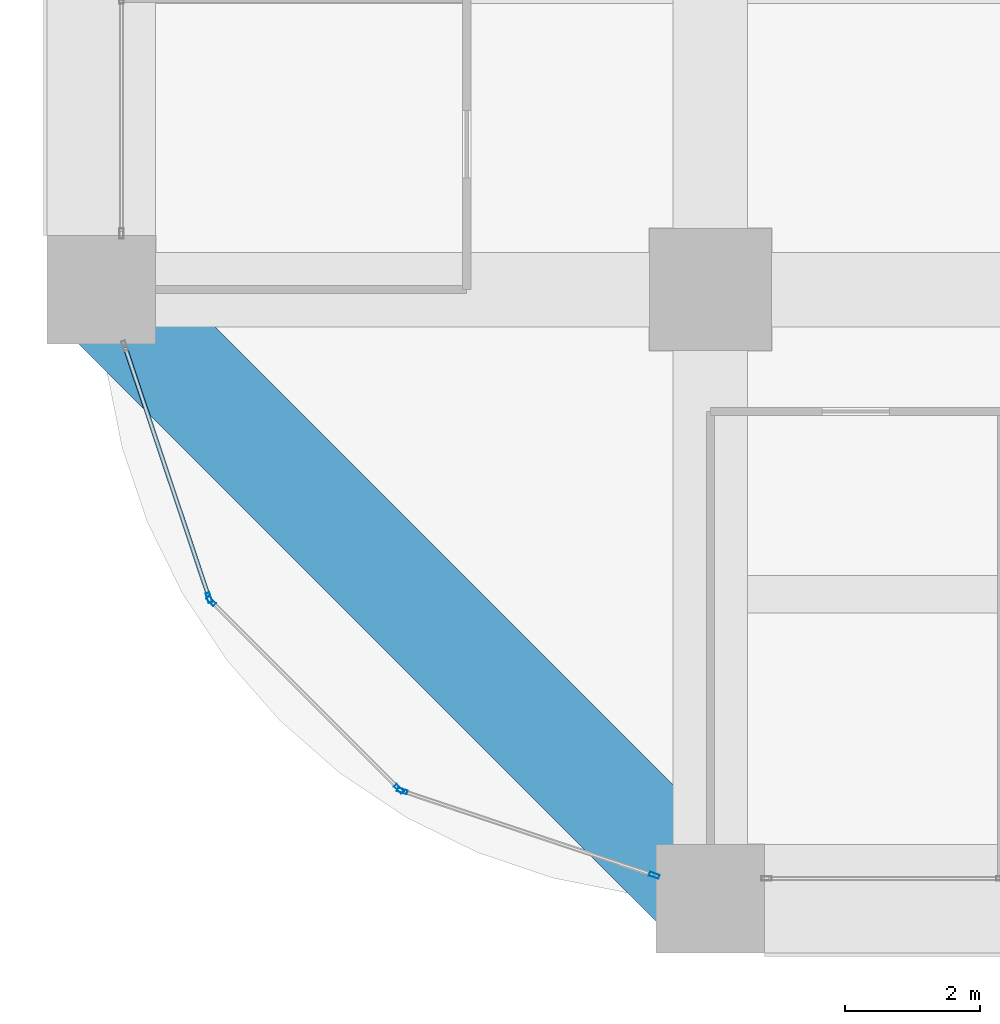
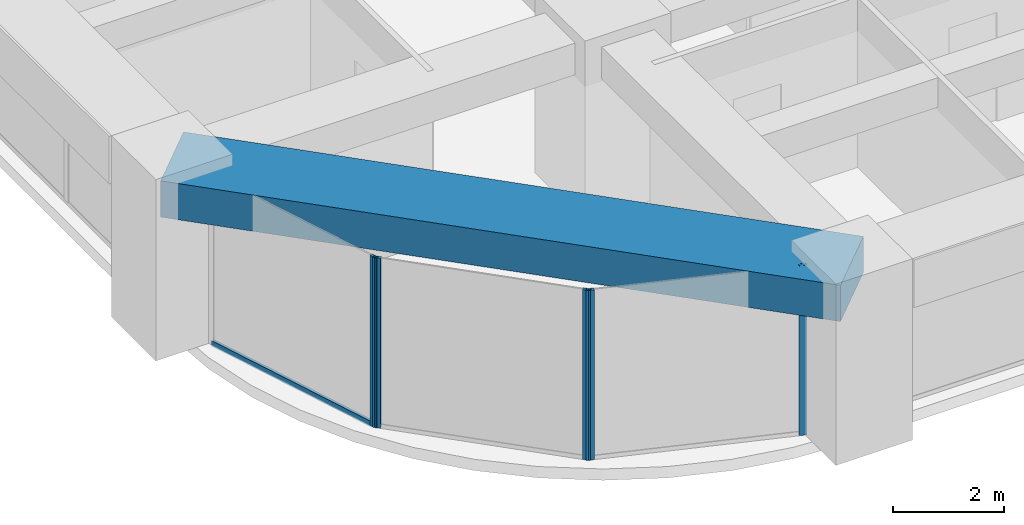
# One storey, part 2 of 43: 6 members, 1 beam, 3 elements without a shape of their own.
"""IFC4 building model written with IfcOpenShell, lengths in metres."""

import ifcopenshell
import ifcopenshell.guid

model = None  # the IFC model being written
_history = None  # IfcOwnerHistory: only IFC2X3 demands one
_inside = {}  # id of a spatial element -> (the spatial element, [elements in it])
_under = {}  # id of a project, library or spatial element -> (it, [spatial elements below it])
_declared = {}  # id of a project -> (the project, [libraries it declares])
_typed = {}  # id of a type object -> (the type object, [elements of that type])
_made_of = {}  # id of a material, layer set ... -> (it, [elements and type objects made of it])


def new_model(schema):
    """Start an empty IFC model of exactly this schema.

    Asked for "IFC4X3", IfcOpenShell would pick the latest addendum, in which some entities
    have other attributes; the version numbers below select the first issue.
    IFC2X3 requires an IfcOwnerHistory on every rooted entity: one is made here for all.
    """
    global model, _history
    if schema == "IFC4X3":
        model = ifcopenshell.file(schema_version=(4, 3, 0, 0))
    else:
        model = ifcopenshell.file(schema=schema)
    _inside.clear()
    _under.clear()
    _declared.clear()
    _typed.clear()
    _made_of.clear()
    _history = None
    if model.schema == "IFC2X3":
        org = make("IfcOrganization", Name="unknown")
        user = make(
            "IfcPersonAndOrganization",
            ThePerson=make("IfcPerson", FamilyName="unknown"),
            TheOrganization=org,
        )
        app = make(
            "IfcApplication",
            ApplicationDeveloper=org,
            Version="unknown",
            ApplicationFullName="unknown",
            ApplicationIdentifier="unknown",
        )
        _history = make(
            "IfcOwnerHistory",
            OwningUser=user,
            OwningApplication=app,
            ChangeAction="ADDED",
            CreationDate=0,
        )
    return model


def make(cls, **values):
    """One entity of the class cls with the attributes given. An attribute that is None is left unset."""
    return model.create_entity(
        cls, **{name: value for name, value in values.items() if value is not None}
    )


def rooted(cls, **values):
    """An entity with a GlobalId (a new one), such as an element, a storey or a relation."""
    return make(cls, GlobalId=ifcopenshell.guid.new(), OwnerHistory=_history, **values)


def si_unit(unit_type, name, prefix=None):
    """IfcSIUnit, for example si_unit("LENGTHUNIT", "METRE", prefix="MILLI")."""
    return make("IfcSIUnit", UnitType=unit_type, Prefix=prefix, Name=name)


def assignment(units):
    """IfcUnitAssignment: the units of a project."""
    return None if units is None else make("IfcUnitAssignment", Units=units)


def point(xyz):
    """IfcCartesianPoint."""
    return None if xyz is None else make("IfcCartesianPoint", Coordinates=xyz)


def direction(xyz):
    """IfcDirection."""
    return None if xyz is None else make("IfcDirection", DirectionRatios=xyz)


def frame(location, z_axis=None, x_axis=None):
    """IfcAxis2Placement3D, a coordinate frame: its origin and axes. An axis left out is left unset."""
    return make(
        "IfcAxis2Placement3D",
        Location=point(location),
        Axis=direction(z_axis),
        RefDirection=direction(x_axis),
    )


def frame_2d(location, x_axis=None):
    """IfcAxis2Placement2D, a coordinate frame in the plane: its origin and x axis."""
    return make(
        "IfcAxis2Placement2D", Location=point(location), RefDirection=direction(x_axis)
    )


def origin():
    """The frame at (0, 0, 0) with its axes left unset."""
    return frame((0.0, 0.0, 0.0))


def origin_2d():
    """The frame at (0, 0) in the plane with its x axis left unset."""
    return frame_2d((0.0, 0.0))


def place(relative_to, where):
    """IfcLocalPlacement: puts the frame where relative to a parent placement (None: the world)."""
    return make(
        "IfcLocalPlacement", PlacementRelTo=relative_to, RelativePlacement=where
    )


def context(
    kind, dimensions, precision=None, world=None, true_north=None, identifier=None
):
    """IfcGeometricRepresentationContext, for example the 3D "Model" context."""
    return make(
        "IfcGeometricRepresentationContext",
        ContextIdentifier=identifier,
        ContextType=kind,
        CoordinateSpaceDimension=dimensions,
        Precision=precision,
        WorldCoordinateSystem=world,
        TrueNorth=true_north,
    )


def subcontext(parent, identifier, kind, view, scale=None):
    """IfcGeometricRepresentationSubContext, for example "Body" below "Model"."""
    return make(
        "IfcGeometricRepresentationSubContext",
        ContextIdentifier=identifier,
        ContextType=kind,
        ParentContext=parent,
        TargetScale=scale,
        TargetView=view,
    )


def project(units=None, contexts=None):
    """IfcProject with its units and contexts."""
    return rooted(
        "IfcProject",
        Name="project",
        RepresentationContexts=contexts,
        UnitsInContext=assignment(units),
    )


def spatial(cls, under=None, at=None, **own):
    """A site, building, storey or space (cls), placed at a placement, below another one or the project."""
    s = rooted(cls, ObjectPlacement=at, **own)
    if under is not None:
        _under.setdefault(under.id(), (under, []))[1].append(s)
    return s


def profile(cls, at=None, kind="AREA", **sizes):
    """A parametric profile (cls). Its sizes go by their IFC names, for example OverallWidth=200.0."""
    return make(cls, ProfileType=kind, Position=at, **sizes)


def rectangle(**sizes):
    """IfcRectangleProfileDef."""
    return profile("IfcRectangleProfileDef", **sizes)


def hollow_rectangle(**sizes):
    """IfcRectangleHollowProfileDef."""
    return profile("IfcRectangleHollowProfileDef", **sizes)


def extrude(swept, where, along, depth):
    """IfcExtrudedAreaSolid: the profile swept, set in the frame where, extruded along a direction by depth."""
    return make(
        "IfcExtrudedAreaSolid",
        SweptArea=swept,
        Position=where,
        ExtrudedDirection=direction(along),
        Depth=depth,
    )


def shape(context_of_items, identifier, shape_type, items):
    """IfcShapeRepresentation: the items that make up one representation, for example the "Body"."""
    return make(
        "IfcShapeRepresentation",
        ContextOfItems=context_of_items,
        RepresentationIdentifier=identifier,
        RepresentationType=shape_type,
        Items=items,
    )


def material(Name=None, Category=None):
    """IfcMaterial."""
    return make("IfcMaterial", Name=Name, Category=Category)


def material_profile(
    of_material, cross_section, Name=None, Category=None, Priority=None
):
    """IfcMaterialProfile: a cross section and its material."""
    return make(
        "IfcMaterialProfile",
        Name=Name,
        Material=of_material,
        Profile=cross_section,
        Priority=Priority,
        Category=Category,
    )


def profile_set(profiles, Name=None, composite=None):
    """IfcMaterialProfileSet."""
    return make(
        "IfcMaterialProfileSet",
        Name=Name,
        MaterialProfiles=profiles,
        CompositeProfile=composite,
    )


def made_of(thing, what):
    """Note that an element or type object is made of a material, layer set ...; save() writes the relation."""
    if what is not None:
        _made_of.setdefault(what.id(), (what, []))[1].append(thing)
    return thing


def type_object(cls, material=None, **own):
    """A type object (cls), such as IfcWallType, which elements share."""
    return made_of(rooted(cls, **own), material)


def element(
    cls,
    number,
    at=None,
    inside=None,
    cuts=None,
    type_object=None,
    material=None,
    context=None,
    identifier="Body",
    shape_type=None,
    held_by="IfcProductDefinitionShape",
    body=None,
    shapes=None,
    **own,
):
    """One element of the class cls, such as IfcWall. Its Tag is "e" and its number.

    at: its placement. inside: the storey or other place that contains it. cuts: it is an
    opening in that element (IfcRelVoidsElement). A single representation is given by context,
    identifier, shape_type and body (its items); several are given by shapes. held_by: the class
    of the entity that holds the representations. save() writes the other relations.
    """
    e = rooted(cls, Tag="e%d" % number, ObjectPlacement=at, **own)
    if body is not None:
        shapes = [shape(context, identifier, shape_type, body)]
    if shapes is not None:
        e.Representation = make(held_by, Representations=shapes)
    if inside is not None:
        _inside.setdefault(inside.id(), (inside, []))[1].append(e)
    if cuts is not None:
        rooted(
            "IfcRelVoidsElement", RelatingBuildingElement=cuts, RelatedOpeningElement=e
        )
    if type_object is not None:
        _typed.setdefault(type_object.id(), (type_object, []))[1].append(e)
    return made_of(e, material)


def aggregate(whole, parts):
    """IfcRelAggregates: a whole, such as a stair, and the parts it consists of."""
    return rooted("IfcRelAggregates", RelatingObject=whole, RelatedObjects=parts)


def save(model, path):
    """Write the relations noted so far, then the file.

    IfcRelAggregates (storeys below a building ...), IfcRelContainedInSpatialStructure (elements
    in a storey), IfcRelDefinesByType, IfcRelAssociatesMaterial and IfcRelDeclares: one each for
    every whole, place, type object, material and project.
    """
    for whole, parts in _under.values():
        aggregate(whole, parts)
    for where, things in _inside.values():
        rooted(
            "IfcRelContainedInSpatialStructure",
            RelatedElements=things,
            RelatingStructure=where,
        )
    for kind, things in _typed.values():
        rooted("IfcRelDefinesByType", RelatedObjects=things, RelatingType=kind)
    for what, things in _made_of.values():
        rooted("IfcRelAssociatesMaterial", RelatedObjects=things, RelatingMaterial=what)
    for by, libraries in _declared.values():
        rooted("IfcRelDeclares", RelatingContext=by, RelatedDefinitions=libraries)
    model.write(path)


model = new_model("IFC4")

# Units and contexts
model_context = context("Model", 3, precision=1e-05, world=origin(), true_north=direction((0.0, 1.0)))
body_context = subcontext(model_context, "Body", "Model", "MODEL_VIEW")
ifc_project = project(units=[si_unit("LENGTHUNIT", "METRE"), si_unit("AREAUNIT", "SQUARE_METRE"), si_unit("VOLUMEUNIT", "CUBIC_METRE"), si_unit("PLANEANGLEUNIT", "RADIAN"), si_unit("MASSUNIT", "GRAM", prefix="KILO")], contexts=[model_context])

# Site, building, storey
site_placement = place(None, origin())
site = spatial("IfcSite", under=ifc_project, at=site_placement, CompositionType="ELEMENT")
building_placement = place(site_placement, origin())
building = spatial("IfcBuilding", under=site, at=building_placement, Name="Zorevar Civic Tower", CompositionType="ELEMENT")
storey_placement = place(building_placement, frame((0.0, 0.0, 145.0)))
storey = spatial("IfcBuildingStorey", under=building, at=storey_placement, Name="L35", CompositionType="ELEMENT", Elevation=145.0)

# Curtain wall, member
ifc_material_1 = material(Name="Dark grey solar-control glass in black aluminium frame", Category="aluminium")
curtain_wall_type = type_object("IfcCurtainWallType", Name="Curtain wall CW3 mid zone", PredefinedType="NOTDEFINED", material=ifc_material_1)
curtain_wall_1_placement = place(storey_placement, origin())
curtain_wall_1 = element("IfcCurtainWall", 1, at=curtain_wall_1_placement, inside=storey, type_object=curtain_wall_type, Name="CW3 L35", PredefinedType="NOTDEFINED")
ifc_material_2 = material(Name="Aluminium, black anodised", Category="aluminium")
ifc_material_profile_1 = material_profile(ifc_material_2, hollow_rectangle(XDim=0.06005859375, YDim=0.14990234375, WallThickness=0.00390625, at=origin_2d()), Name="AL 150x60x4")
ifc_profile_set_1 = profile_set([ifc_material_profile_1], Name="Aluminium, black anodised")
member_type_1 = type_object("IfcMemberType", Name="CW3 mullion AL 150x60x4", PredefinedType="MULLION", material=ifc_profile_set_1)
member_1_placement = place(storey_placement, frame((1.59326171875, 4.44921875, 0.0), z_axis=(0.0, 0.0, 1.0), x_axis=(0.948227238701, 0.317592669603, 0.0)))
member_1 = element("IfcMember", 2, at=member_1_placement, type_object=member_type_1, Name="CW3 mullion 2", PredefinedType="MULLION", context=body_context, shape_type="SweptSolid", body=[
    extrude(hollow_rectangle(XDim=0.06005859375, YDim=0.14990234375, WallThickness=0.00390625, at=origin_2d()), origin(), (0.0, 0.0, 1.0), 3.75),
])

# Curtain wall, members
curtain_wall_2_placement = place(storey_placement, origin())
curtain_wall_2 = element("IfcCurtainWall", 3, at=curtain_wall_2_placement, inside=storey, type_object=curtain_wall_type, Name="CW3 L35", PredefinedType="NOTDEFINED")
member_2_placement = place(storey_placement, frame((1.6240234375, 4.399658203125, 0.0), z_axis=(0.0, 0.0, 1.0), x_axis=(0.707106781187, 0.707106781187, 0.0)))
member_2 = element("IfcMember", 4, at=member_2_placement, type_object=member_type_1, Name="CW3 mullion 1", PredefinedType="MULLION", context=body_context, shape_type="SweptSolid", body=[
    extrude(hollow_rectangle(XDim=0.06005859375, YDim=0.14990234375, WallThickness=0.00390625, at=origin_2d()), origin(), (0.0, 0.0, 1.0), 3.75),
])
member_3_placement = place(storey_placement, frame((4.399658203125, 1.6240234375, 0.0), z_axis=(0.0, 0.0, 1.0), x_axis=(0.707106781187, 0.707106781187, 0.0)))
member_3 = element("IfcMember", 5, at=member_3_placement, type_object=member_type_1, Name="CW3 mullion 2", PredefinedType="MULLION", context=body_context, shape_type="SweptSolid", body=[
    extrude(hollow_rectangle(XDim=0.06005859375, YDim=0.14990234375, WallThickness=0.00390625, at=origin_2d()), origin(), (0.0, 0.0, 1.0), 3.75),
])
aggregate(curtain_wall_2, [member_2, member_3])

curtain_wall_3_placement = place(storey_placement, origin())
curtain_wall_3 = element("IfcCurtainWall", 6, at=curtain_wall_3_placement, inside=storey, type_object=curtain_wall_type, Name="CW3 L35", PredefinedType="NOTDEFINED")
member_4_placement = place(storey_placement, frame((4.44921875, 1.59326171875, 0.0), z_axis=(0.0, 0.0, 1.0), x_axis=(0.317592669603, 0.948227238701, 0.0)))
member_4 = element("IfcMember", 7, at=member_4_placement, type_object=member_type_1, Name="CW3 mullion 1", PredefinedType="MULLION", context=body_context, shape_type="SweptSolid", body=[
    extrude(hollow_rectangle(XDim=0.06005859375, YDim=0.14990234375, WallThickness=0.00390625, at=origin_2d()), origin(), (0.0, 0.0, 1.0), 3.75),
])
member_5_placement = place(storey_placement, frame((8.171630859375, 0.346435546875, 0.0), z_axis=(0.0, 0.0, 1.0), x_axis=(0.317592669603, 0.948227238701, 0.0)))
member_5 = element("IfcMember", 8, at=member_5_placement, type_object=member_type_1, Name="CW3 mullion 2", PredefinedType="MULLION", context=body_context, shape_type="SweptSolid", body=[
    extrude(hollow_rectangle(XDim=0.06005859375, YDim=0.14990234375, WallThickness=0.00390625, at=origin_2d()), origin(), (0.0, 0.0, 1.0), 3.75),
])
aggregate(curtain_wall_3, [member_4, member_5])

# Member
ifc_material_3 = material(Name="Aluminium, black anodised", Category="aluminium")
ifc_material_profile_2 = material_profile(ifc_material_3, hollow_rectangle(XDim=0.06005859375, YDim=0.1201171875, WallThickness=0.0029296875, at=origin_2d()), Name="AL 120x60x3")
ifc_profile_set_2 = profile_set([ifc_material_profile_2], Name="Aluminium, black anodised")
member_type_2 = type_object("IfcMemberType", Name="CW3 transom AL 120x60x3", PredefinedType="USERDEFINED", material=ifc_profile_set_2)
member_6_placement = place(storey_placement, frame((0.35595703125, 8.14306640625, 0.030029296875), z_axis=(0.317629563458, -0.94821488093, 0.0), x_axis=(0.94821488093, 0.317629563458, 0.0)))
member_6 = element("IfcMember", 9, at=member_6_placement, type_object=member_type_2, Name="CW3 sill transom", ObjectType="TRANSOM", PredefinedType="USERDEFINED", context=body_context, shape_type="SweptSolid", body=[
    extrude(hollow_rectangle(XDim=0.06005859375, YDim=0.1201171875, WallThickness=0.0029296875, at=origin_2d()), origin(), (0.0, 0.0, 1.0), 3.865478515625),
])

aggregate(curtain_wall_1, [member_1, member_6])

# Beam
ifc_material_4 = material(Name="Concrete C50/60", Category="concrete")
ifc_material_profile_3 = material_profile(ifc_material_4, rectangle(XDim=1.60009765625, YDim=0.800048828125, at=origin_2d()), Name="RC 1600x800")
ifc_profile_set_3 = profile_set([ifc_material_profile_3], Name="Concrete C50/60")
beam_type = type_object("IfcBeamType", Name="Edge beam RC 1600x800", PredefinedType="SPANDREL", material=ifc_profile_set_3)
beam_placement = place(storey_placement, frame((0.0, 9.0, 3.35009765625), z_axis=(0.707106781187, -0.707106781187, 0.0), x_axis=(0.707106781187, 0.707106781187, 0.0)))
element("IfcBeam", 10, at=beam_placement, inside=storey, type_object=beam_type, Name="Corner edge beam L36", PredefinedType="SPANDREL", context=body_context, shape_type="SweptSolid", body=[
    extrude(rectangle(XDim=1.60009765625, YDim=0.800048828125, at=origin_2d()), origin(), (0.0, 0.0, 1.0), 12.72802734375),
])

save(model, "model.ifc")
